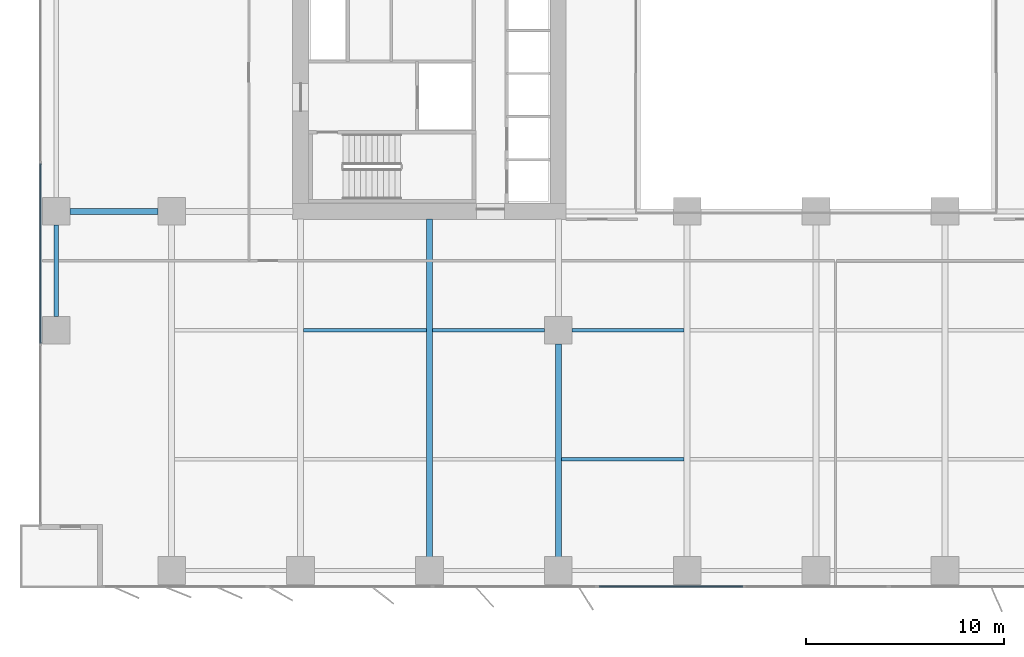
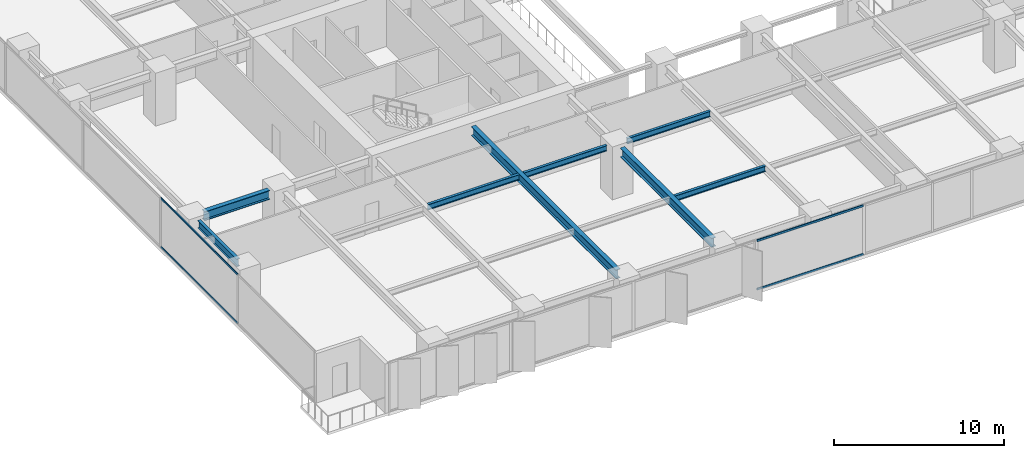
# One storey, part 3 of 20: 8 beams, 4 members, 2 elements without a shape of their own.
"""IFC4 building model written with IfcOpenShell, lengths in metres."""

from ifc_helpers import new_model, si_unit, direction, frame, origin, origin_2d, place, context, subcontext, project, spatial, rectangle, i_section, extrude, material, layer, layer_set, material_profile, profile_set, type_object, element, aggregate, save


model = new_model("IFC4")

# Units and contexts
model_context = context("Model", 3, precision=1e-05, world=origin(), true_north=direction((0.0, 1.0)))
body_context = subcontext(model_context, "Body", "Model", "MODEL_VIEW")
ifc_project = project(units=[si_unit("LENGTHUNIT", "METRE"), si_unit("AREAUNIT", "SQUARE_METRE"), si_unit("VOLUMEUNIT", "CUBIC_METRE"), si_unit("PLANEANGLEUNIT", "RADIAN"), si_unit("MASSUNIT", "GRAM", prefix="KILO")], contexts=[model_context])

# Site, building, storey
site_placement = place(None, origin())
site = spatial("IfcSite", under=ifc_project, at=site_placement, CompositionType="ELEMENT")
building_placement = place(site_placement, origin())
building = spatial("IfcBuilding", under=site, at=building_placement, Name="Putna Gate Headquarters", CompositionType="ELEMENT")
storey_placement = place(building_placement, frame((0.0, 0.0, 27.800048828125)))
storey = spatial("IfcBuildingStorey", under=building, at=storey_placement, Name="L05", CompositionType="ELEMENT", Elevation=27.800048828125)

# Beams
ifc_material_1 = material(Name="Steel S355J2", Category="steel")
ifc_material_profile_1 = material_profile(ifc_material_1, i_section(OverallWidth=0.300048828125, OverallDepth=0.64990234375, WebThickness=0.01611328125, FlangeThickness=0.031005859375, at=origin_2d()), Name="Steel S355J2")
ifc_profile_set_1 = profile_set([ifc_material_profile_1], Name="Steel S355J2")
beam_type_1 = type_object("IfcBeamType", Name="BM-GIRD-Z1-HEB650", PredefinedType="USERDEFINED", material=ifc_profile_set_1)
beam_1_placement = place(storey_placement, frame((1.367919921875, 19.0, 3.224853515625), z_axis=(1.0, 0.0, 0.0), x_axis=(0.0, 1.0, 0.0)))
element("IfcBeam", 1, at=beam_1_placement, inside=storey, type_object=beam_type_1, Name="L05 West Wing Girder Y19-1", ObjectType="GIRDER", PredefinedType="USERDEFINED", context=body_context, shape_type="SweptSolid", body=[
    extrude(i_section(OverallWidth=0.300048828125, OverallDepth=0.64990234375, WebThickness=0.01611328125, FlangeThickness=0.031005859375, at=origin_2d()), origin(), (0.0, 0.0, 1.0), 4.444091796875),
])
beam_2_placement = place(storey_placement, frame((19.5, 1.568115234375, 3.224853515625), z_axis=(0.0, 1.0, 0.0), x_axis=(-1.0, 0.0, 0.0)))
element("IfcBeam", 2, at=beam_2_placement, inside=storey, type_object=beam_type_1, Name="L05 South Primary Girder X19", ObjectType="GIRDER", PredefinedType="USERDEFINED", context=body_context, shape_type="SweptSolid", body=[
    extrude(i_section(OverallWidth=0.300048828125, OverallDepth=0.64990234375, WebThickness=0.01611328125, FlangeThickness=0.031005859375, at=origin_2d()), origin(), (0.0, 0.0, 1.0), 17.046875),
])
beam_3_placement = place(storey_placement, frame((26.0, 1.568115234375, 3.224853515625), z_axis=(0.0, 1.0, 0.0), x_axis=(-1.0, 0.0, 0.0)))
element("IfcBeam", 3, at=beam_3_placement, inside=storey, type_object=beam_type_1, Name="L05 South Primary Girder X26-1", ObjectType="GIRDER", PredefinedType="USERDEFINED", context=body_context, shape_type="SweptSolid", body=[
    extrude(i_section(OverallWidth=0.300048828125, OverallDepth=0.64990234375, WebThickness=0.01611328125, FlangeThickness=0.031005859375, at=origin_2d()), origin(), (0.0, 0.0, 1.0), 10.743896484375),
])
ifc_material_profile_2 = material_profile(ifc_material_1, i_section(OverallWidth=0.179931640625, OverallDepth=0.39990234375, WebThickness=0.008544921875, FlangeThickness=0.013427734375, at=origin_2d()), Name="Steel S355J2")
ifc_profile_set_2 = profile_set([ifc_material_profile_2], Name="Steel S355J2")
beam_type_2 = type_object("IfcBeamType", Name="BM-SEC-Z1-IPE400", PredefinedType="BEAM", material=ifc_profile_set_2)
beam_4_placement = place(storey_placement, frame((13.154052734375, 13.0, 3.349853515625), z_axis=(1.0, 0.0, 0.0), x_axis=(0.0, 1.0, 0.0)))
element("IfcBeam", 4, at=beam_4_placement, inside=storey, type_object=beam_type_2, Name="L05 South Secondary Beam 2", PredefinedType="BEAM", context=body_context, shape_type="SweptSolid", body=[
    extrude(i_section(OverallWidth=0.179931640625, OverallDepth=0.39990234375, WebThickness=0.008544921875, FlangeThickness=0.013427734375, at=origin_2d()), origin(), (0.0, 0.0, 1.0), 6.19189453125),
])
beam_5_placement = place(storey_placement, frame((19.654052734375, 13.0, 3.349853515625), z_axis=(1.0, 0.0, 0.0), x_axis=(0.0, 1.0, 0.0)))
element("IfcBeam", 5, at=beam_5_placement, inside=storey, type_object=beam_type_2, Name="L05 South Secondary Beam 3", PredefinedType="BEAM", context=body_context, shape_type="SweptSolid", body=[
    extrude(i_section(OverallWidth=0.179931640625, OverallDepth=0.39990234375, WebThickness=0.008544921875, FlangeThickness=0.013427734375, at=origin_2d()), origin(), (0.0, 0.0, 1.0), 5.657958984375),
])
beam_6_placement = place(storey_placement, frame((26.154052734375, 6.5, 3.349853515625), z_axis=(1.0, 0.0, 0.0), x_axis=(0.0, 1.0, 0.0)))
element("IfcBeam", 6, at=beam_6_placement, inside=storey, type_object=beam_type_2, Name="L05 South Secondary Beam 4", PredefinedType="BEAM", context=body_context, shape_type="SweptSolid", body=[
    extrude(i_section(OverallWidth=0.179931640625, OverallDepth=0.39990234375, WebThickness=0.008544921875, FlangeThickness=0.013427734375, at=origin_2d()), origin(), (0.0, 0.0, 1.0), 6.19189453125),
])
beam_7_placement = place(storey_placement, frame((26.68798828125, 13.0, 3.349853515625), z_axis=(1.0, 0.0, 0.0), x_axis=(0.0, 1.0, 0.0)))
element("IfcBeam", 7, at=beam_7_placement, inside=storey, type_object=beam_type_2, Name="L05 South Secondary Beam 4", PredefinedType="BEAM", context=body_context, shape_type="SweptSolid", body=[
    extrude(i_section(OverallWidth=0.179931640625, OverallDepth=0.39990234375, WebThickness=0.008544921875, FlangeThickness=0.013427734375, at=origin_2d()), origin(), (0.0, 0.0, 1.0), 5.657958984375),
])
ifc_material_profile_3 = material_profile(ifc_material_1, i_section(OverallWidth=0.2099609375, OverallDepth=0.550048828125, WebThickness=0.010986328125, FlangeThickness=0.01708984375, at=origin_2d()), Name="Steel S355J2")
ifc_profile_set_3 = profile_set([ifc_material_profile_3], Name="Steel S355J2")
beam_type_3 = type_object("IfcBeamType", Name="BM-SPAN-Z1-IPE550", PredefinedType="SPANDREL", material=ifc_profile_set_3)
beam_8_placement = place(storey_placement, frame((0.679931640625, 13.68798828125, 3.27490234375), z_axis=(0.0, 1.0, 0.0), x_axis=(-1.0, 0.0, 0.0)))
element("IfcBeam", 8, at=beam_8_placement, inside=storey, type_object=beam_type_3, Name="L05 W End Spandrel 1", PredefinedType="SPANDREL", context=body_context, shape_type="SweptSolid", body=[
    extrude(i_section(OverallWidth=0.2099609375, OverallDepth=0.550048828125, WebThickness=0.010986328125, FlangeThickness=0.01708984375, at=origin_2d()), origin(), (0.0, 0.0, 1.0), 4.6240234375),
])

# Curtain wall, members
ifc_material_2 = material(Name="Anodised bronze aluminium curtain wall", Category="aluminium")
ifc_layer_1 = layer(ifc_material_2, 0.179931640625)
ifc_layer_set_1 = layer_set([ifc_layer_1], Name="Anodised bronze aluminium curtain wall")
curtain_wall_type_1 = type_object("IfcCurtainWallType", Name="CW-SYS-Z1", PredefinedType="USERDEFINED", material=ifc_layer_set_1)
curtain_wall_1_placement = place(storey_placement, origin())
curtain_wall_1 = element("IfcCurtainWall", 9, at=curtain_wall_1_placement, inside=storey, type_object=curtain_wall_type_1, Name="L05 West Curtain Wall", ObjectType="STICK CURTAIN WALL", PredefinedType="USERDEFINED")
ifc_material_3 = material(Name="Anodised bronze aluminium EN AW-6060", Category="aluminium")
ifc_material_profile_4 = material_profile(ifc_material_3, rectangle(XDim=0.06494140625, YDim=0.1201171875, at=origin_2d()), Name="Anodised bronze aluminium EN AW-6060")
ifc_profile_set_4 = profile_set([ifc_material_profile_4], Name="Anodised bronze aluminium EN AW-6060")
member_type_1 = type_object("IfcMemberType", Name="TRAN-CWT-1", PredefinedType="USERDEFINED", material=ifc_profile_set_4)
member_1_placement = place(storey_placement, frame((-0.1201171875, 12.35498046875, 0.032470703125), z_axis=(0.0, 1.0, 0.0), x_axis=(-1.0, 0.0, 0.0)))
member_1 = element("IfcMember", 10, at=member_1_placement, type_object=member_type_1, Name="CWS-1 transom 2.1", ObjectType="TRANSOM", PredefinedType="USERDEFINED", context=body_context, shape_type="SweptSolid", body=[
    extrude(rectangle(XDim=0.06494140625, YDim=0.1201171875, at=origin_2d()), origin(), (0.0, 0.0, 1.0), 9.050048828125),
])
member_2_placement = place(storey_placement, frame((-0.1201171875, 12.35498046875, 3.517333984375), z_axis=(0.0, 1.0, 0.0), x_axis=(-1.0, 0.0, 0.0)))
member_2 = element("IfcMember", 11, at=member_2_placement, type_object=member_type_1, Name="CWS-1 transom 2.2", ObjectType="TRANSOM", PredefinedType="USERDEFINED", context=body_context, shape_type="SweptSolid", body=[
    extrude(rectangle(XDim=0.06494140625, YDim=0.1201171875, at=origin_2d()), origin(), (0.0, 0.0, 1.0), 9.050048828125),
])
aggregate(curtain_wall_1, [member_1, member_2])

ifc_layer_2 = layer(ifc_material_2, 0.179931640625)
ifc_layer_set_2 = layer_set([ifc_layer_2], Name="Anodised bronze aluminium curtain wall")
curtain_wall_type_2 = type_object("IfcCurtainWallType", Name="CW-SYS-ATR", PredefinedType="USERDEFINED", material=ifc_layer_set_2)
curtain_wall_2_placement = place(storey_placement, origin())
curtain_wall_2 = element("IfcCurtainWall", 12, at=curtain_wall_2_placement, inside=storey, type_object=curtain_wall_type_2, Name="L05 South Atrium Clear Glazing", ObjectType="ATRIUM GLAZING", PredefinedType="USERDEFINED")
ifc_material_profile_5 = material_profile(ifc_material_3, rectangle(XDim=0.070068359375, YDim=0.139892578125, at=origin_2d()), Name="Anodised bronze aluminium EN AW-6060")
ifc_profile_set_5 = profile_set([ifc_material_profile_5], Name="Anodised bronze aluminium EN AW-6060")
member_type_2 = type_object("IfcMemberType", Name="TRAN-CWT-AT", PredefinedType="USERDEFINED", material=ifc_profile_set_5)
member_3_placement = place(storey_placement, frame((28.070068359375, 0.080078125, 0.034912109375), z_axis=(1.0, 0.0, 0.0), x_axis=(0.0, 1.0, 0.0)))
member_3 = element("IfcMember", 13, at=member_3_placement, type_object=member_type_2, Name="CWS-AT transom 1.1", ObjectType="TRANSOM", PredefinedType="USERDEFINED", context=body_context, shape_type="SweptSolid", body=[
    extrude(rectangle(XDim=0.070068359375, YDim=0.139892578125, at=origin_2d()), origin(), (0.0, 0.0, 1.0), 7.228271484375),
])
member_4_placement = place(storey_placement, frame((28.070068359375, 0.080078125, 3.514892578125), z_axis=(1.0, 0.0, 0.0), x_axis=(0.0, 1.0, 0.0)))
member_4 = element("IfcMember", 14, at=member_4_placement, type_object=member_type_2, Name="CWS-AT transom 1.2", ObjectType="TRANSOM", PredefinedType="USERDEFINED", context=body_context, shape_type="SweptSolid", body=[
    extrude(rectangle(XDim=0.070068359375, YDim=0.139892578125, at=origin_2d()), origin(), (0.0, 0.0, 1.0), 7.228271484375),
])
aggregate(curtain_wall_2, [member_3, member_4])

save(model, "model.ifc")
